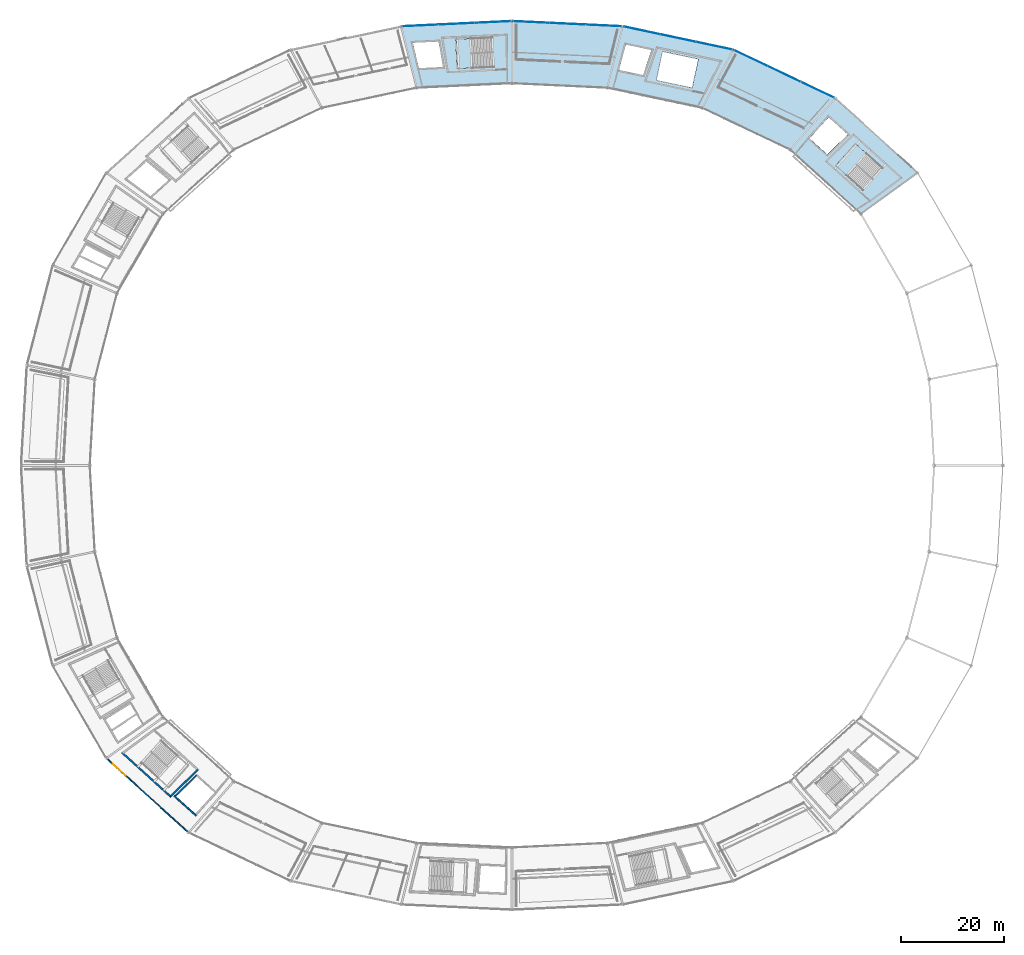
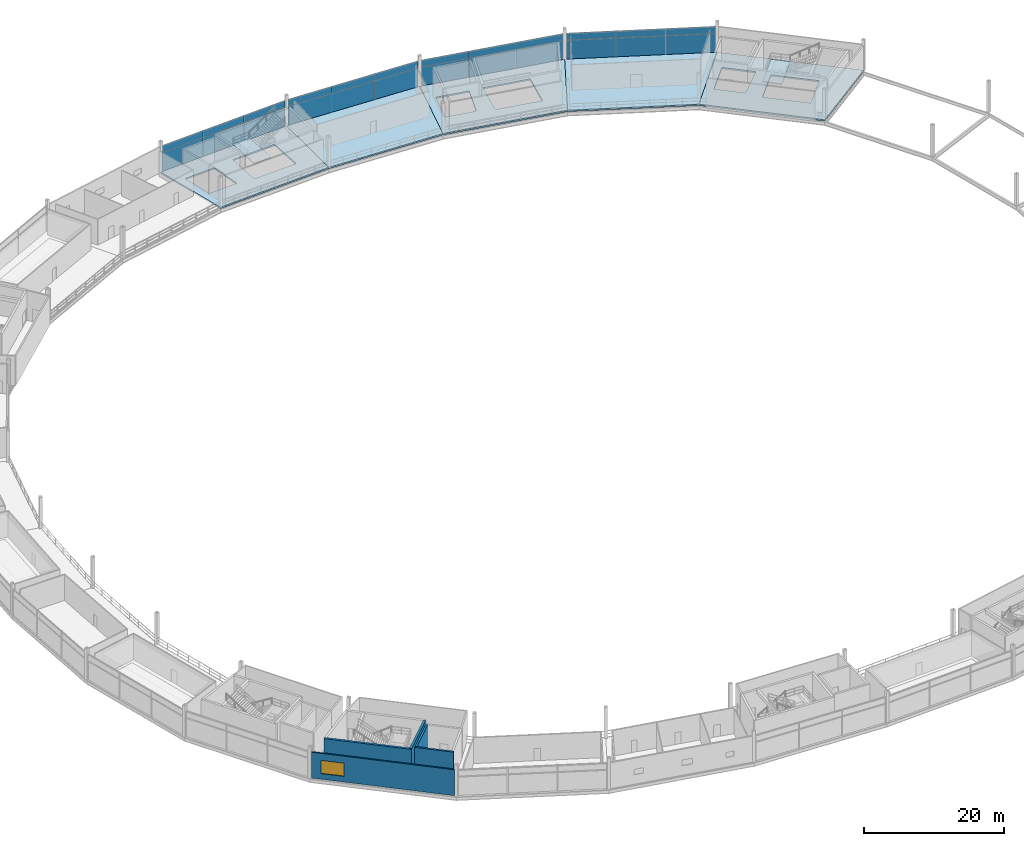
# One storey, part 70 of 103: 24 plates, 7 slabs, 5 walls, 1 window, 1 opening, 6 elements without a shape of their own.
"""IFC4 building model written with IfcOpenShell, lengths in metres."""

from ifc_helpers import new_model, si_unit, direction, frame, frame_2d, origin, origin_2d, place, context, subcontext, project, spatial, polyline, rectangle, outline, extrude, material, layer, layer_set, type_object, element, fill, aggregate, save


model = new_model("IFC4")

# Units and contexts
model_context = context("Model", 3, precision=1e-05, world=origin(), true_north=direction((0.0, 1.0)))
body_context = subcontext(model_context, "Body", "Model", "MODEL_VIEW")
ifc_project = project(units=[si_unit("LENGTHUNIT", "METRE"), si_unit("AREAUNIT", "SQUARE_METRE"), si_unit("VOLUMEUNIT", "CUBIC_METRE"), si_unit("PLANEANGLEUNIT", "RADIAN"), si_unit("MASSUNIT", "GRAM", prefix="KILO")], contexts=[model_context])

# Site, building, storey
site_placement = place(None, origin())
site = spatial("IfcSite", under=ifc_project, at=site_placement, CompositionType="ELEMENT")
building_placement = place(site_placement, origin())
building = spatial("IfcBuilding", under=site, at=building_placement, Name="Kazemori Nagisa Stadium", CompositionType="ELEMENT")
storey_placement = place(building_placement, frame((0.0, 0.0, 25.840087890625)))
storey = spatial("IfcBuildingStorey", under=building, at=storey_placement, Name="L05", CompositionType="ELEMENT", Elevation=25.840087890625)

# Curtain wall, plates
ifc_material_1 = material(Name="Anodised aluminium 6063-T5", Category="aluminium")
ifc_layer_1 = layer(ifc_material_1, 0.239990234375, Name="Anodised aluminium 6063-T5", Category="aluminium")
ifc_layer_set_1 = layer_set([ifc_layer_1], Name="Anodised aluminium 6063-T5")
curtain_wall_type_1 = type_object("IfcCurtainWallType", Name="CW_L05R3_105", PredefinedType="USERDEFINED", material=ifc_layer_set_1)
curtain_wall_1_placement = place(storey_placement, origin())
curtain_wall_1 = element("IfcCurtainWall", 1, at=curtain_wall_1_placement, inside=storey, type_object=curtain_wall_type_1, Name="Unitised curtain wall CW-L05R3-105 L05", ObjectType="UNITISED CURTAIN WALL", PredefinedType="USERDEFINED")
ifc_material_2 = material(Name="Anodised aluminium spandrel sheet", Category="aluminium")
ifc_layer_2 = layer(ifc_material_2, 0.052001953125, Name="Anodised aluminium spandrel sheet", Category="aluminium")
ifc_layer_set_2 = layer_set([ifc_layer_2], Name="Anodised aluminium spandrel sheet")
plate_type_1 = type_object("IfcPlateType", Name="CWPanel_SPN_L05R3_105", PredefinedType="CURTAIN_PANEL", material=ifc_layer_set_2)
plate_1_placement = place(storey_placement, frame((140.6865234375, 187.163818359375, 3.306884765625), z_axis=(0.0, 0.0, 1.0), x_axis=(-0.998884022476, 0.047230388971, 0.0)))
plate_1 = element("IfcPlate", 2, at=plate_1_placement, type_object=plate_type_1, Name="Curtain wall spandrel panel CW-L05R3-105-S1", PredefinedType="CURTAIN_PANEL", context=body_context, shape_type="SweptSolid", body=[
    extrude(rectangle(XDim=6.956787109375, YDim=0.052001953125, at=origin_2d()), origin(), (0.0, 0.0, 1.0), 1.22314453125),
])
plate_2_placement = place(storey_placement, frame((133.7138671875, 187.493408203125, 3.306884765625), z_axis=(0.0, 0.0, 1.0), x_axis=(-0.998884022476, 0.047230388971, 0.0)))
plate_2 = element("IfcPlate", 3, at=plate_2_placement, type_object=plate_type_1, Name="Curtain wall spandrel panel CW-L05R3-105-S2", PredefinedType="CURTAIN_PANEL", context=body_context, shape_type="SweptSolid", body=[
    extrude(rectangle(XDim=6.956787109375, YDim=0.052001953125, at=origin_2d()), origin(), (0.0, 0.0, 1.0), 1.22314453125),
])
plate_3_placement = place(storey_placement, frame((126.7412109375, 187.822998046875, 3.306884765625), z_axis=(0.0, 0.0, 1.0), x_axis=(-0.998884022476, 0.047230388971, 0.0)))
plate_3 = element("IfcPlate", 4, at=plate_3_placement, type_object=plate_type_1, Name="Curtain wall spandrel panel CW-L05R3-105-S3", PredefinedType="CURTAIN_PANEL", context=body_context, shape_type="SweptSolid", body=[
    extrude(rectangle(XDim=6.956787109375, YDim=0.052001953125, at=origin_2d()), origin(), (0.0, 0.0, 1.0), 1.22314453125),
])

curtain_wall_2_placement = place(storey_placement, origin())
curtain_wall_2 = element("IfcCurtainWall", 5, at=curtain_wall_2_placement, inside=storey, type_object=curtain_wall_type_1, Name="Unitised curtain wall CW-L05R3-105 L05", ObjectType="UNITISED CURTAIN WALL", PredefinedType="USERDEFINED")
plate_4_placement = place(storey_placement, frame((119.2587890625, 187.822998046875, 3.306884765625), z_axis=(0.0, 0.0, 1.0), x_axis=(-0.998884022476, -0.047230388971, 0.0)))
plate_4 = element("IfcPlate", 6, at=plate_4_placement, type_object=plate_type_1, Name="Curtain wall spandrel panel CW-L05R3-105-S1", PredefinedType="CURTAIN_PANEL", context=body_context, shape_type="SweptSolid", body=[
    extrude(rectangle(XDim=6.956787109375, YDim=0.052001953125, at=origin_2d()), origin(), (0.0, 0.0, 1.0), 1.22314453125),
])
plate_5_placement = place(storey_placement, frame((112.2861328125, 187.493408203125, 3.306884765625), z_axis=(0.0, 0.0, 1.0), x_axis=(-0.998884022476, -0.047230388971, 0.0)))
plate_5 = element("IfcPlate", 7, at=plate_5_placement, type_object=plate_type_1, Name="Curtain wall spandrel panel CW-L05R3-105-S2", PredefinedType="CURTAIN_PANEL", context=body_context, shape_type="SweptSolid", body=[
    extrude(rectangle(XDim=6.956787109375, YDim=0.052001953125, at=origin_2d()), origin(), (0.0, 0.0, 1.0), 1.22314453125),
])
plate_6_placement = place(storey_placement, frame((105.3134765625, 187.163818359375, 3.306884765625), z_axis=(0.0, 0.0, 1.0), x_axis=(-0.998884022476, -0.047230388971, 0.0)))
plate_6 = element("IfcPlate", 8, at=plate_6_placement, type_object=plate_type_1, Name="Curtain wall spandrel panel CW-L05R3-105-S3", PredefinedType="CURTAIN_PANEL", context=body_context, shape_type="SweptSolid", body=[
    extrude(rectangle(XDim=6.956787109375, YDim=0.052001953125, at=origin_2d()), origin(), (0.0, 0.0, 1.0), 1.22314453125),
])

ifc_layer_3 = layer(ifc_material_1, 0.239990234375, Name="Anodised aluminium 6063-T5", Category="aluminium")
ifc_layer_set_3 = layer_set([ifc_layer_3], Name="Anodised aluminium 6063-T5")
curtain_wall_type_2 = type_object("IfcCurtainWallType", Name="CW_L05R3_107", PredefinedType="USERDEFINED", material=ifc_layer_set_3)
curtain_wall_3_placement = place(storey_placement, origin())
curtain_wall_3 = element("IfcCurtainWall", 9, at=curtain_wall_3_placement, inside=storey, type_object=curtain_wall_type_2, Name="Unitised curtain wall CW-L05R3-107 L05", ObjectType="UNITISED CURTAIN WALL", PredefinedType="USERDEFINED")
ifc_layer_4 = layer(ifc_material_2, 0.052001953125, Name="Anodised aluminium spandrel sheet", Category="aluminium")
ifc_layer_set_4 = layer_set([ifc_layer_4], Name="Anodised aluminium spandrel sheet")
plate_type_2 = type_object("IfcPlateType", Name="CWPanel_SPN_L05R3_107", PredefinedType="CURTAIN_PANEL", material=ifc_layer_set_4)
plate_7_placement = place(storey_placement, frame((182.1455078125, 174.699462890625, 3.306884765625), z_axis=(0.0, 0.0, 1.0), x_axis=(-0.903215892654, 0.429186499388, 0.0)))
plate_7 = element("IfcPlate", 10, at=plate_7_placement, type_object=plate_type_2, Name="Curtain wall spandrel panel CW-L05R3-107-S1", PredefinedType="CURTAIN_PANEL", context=body_context, shape_type="SweptSolid", body=[
    extrude(rectangle(XDim=7.110595703125, YDim=0.052001953125, at=origin_2d()), origin(), (0.0, 0.0, 1.0), 1.22314453125),
])
plate_8_placement = place(storey_placement, frame((175.701416015625, 177.76171875, 3.306884765625), z_axis=(0.0, 0.0, 1.0), x_axis=(-0.903215892654, 0.429186499388, 0.0)))
plate_8 = element("IfcPlate", 11, at=plate_8_placement, type_object=plate_type_2, Name="Curtain wall spandrel panel CW-L05R3-107-S2", PredefinedType="CURTAIN_PANEL", context=body_context, shape_type="SweptSolid", body=[
    extrude(rectangle(XDim=7.110595703125, YDim=0.052001953125, at=origin_2d()), origin(), (0.0, 0.0, 1.0), 1.22314453125),
])
plate_9_placement = place(storey_placement, frame((169.257080078125, 180.82373046875, 3.306884765625), z_axis=(0.0, 0.0, 1.0), x_axis=(-0.903215892654, 0.429186499388, 0.0)))
plate_9 = element("IfcPlate", 12, at=plate_9_placement, type_object=plate_type_2, Name="Curtain wall spandrel panel CW-L05R3-107-S3", PredefinedType="CURTAIN_PANEL", context=body_context, shape_type="SweptSolid", body=[
    extrude(rectangle(XDim=7.110595703125, YDim=0.052001953125, at=origin_2d()), origin(), (0.0, 0.0, 1.0), 1.22314453125),
])

curtain_wall_4_placement = place(storey_placement, origin())
curtain_wall_4 = element("IfcCurtainWall", 13, at=curtain_wall_4_placement, inside=storey, type_object=curtain_wall_type_2, Name="Unitised curtain wall CW-L05R3-107 L05", ObjectType="UNITISED CURTAIN WALL", PredefinedType="USERDEFINED")
plate_10_placement = place(storey_placement, frame((162.07568359375, 183.253173828125, 3.306884765625), z_axis=(0.0, 0.0, 1.0), x_axis=(-0.978344955407, 0.206981033502, 0.0)))
plate_10 = element("IfcPlate", 14, at=plate_10_placement, type_object=plate_type_2, Name="Curtain wall spandrel panel CW-L05R3-107-S1", PredefinedType="CURTAIN_PANEL", context=body_context, shape_type="SweptSolid", body=[
    extrude(rectangle(XDim=7.08935546875, YDim=0.052001953125, at=origin_2d()), origin(), (0.0, 0.0, 1.0), 1.22314453125),
])
plate_11_placement = place(storey_placement, frame((155.1162109375, 184.7255859375, 3.306884765625), z_axis=(0.0, 0.0, 1.0), x_axis=(-0.978344955407, 0.206981033502, 0.0)))
plate_11 = element("IfcPlate", 15, at=plate_11_placement, type_object=plate_type_2, Name="Curtain wall spandrel panel CW-L05R3-107-S2", PredefinedType="CURTAIN_PANEL", context=body_context, shape_type="SweptSolid", body=[
    extrude(rectangle(XDim=7.08935546875, YDim=0.052001953125, at=origin_2d()), origin(), (0.0, 0.0, 1.0), 1.22314453125),
])
plate_12_placement = place(storey_placement, frame((148.15673828125, 186.197998046875, 3.306884765625), z_axis=(0.0, 0.0, 1.0), x_axis=(-0.978344955407, 0.206981033502, 0.0)))
plate_12 = element("IfcPlate", 16, at=plate_12_placement, type_object=plate_type_2, Name="Curtain wall spandrel panel CW-L05R3-107-S3", PredefinedType="CURTAIN_PANEL", context=body_context, shape_type="SweptSolid", body=[
    extrude(rectangle(XDim=7.08935546875, YDim=0.052001953125, at=origin_2d()), origin(), (0.0, 0.0, 1.0), 1.22314453125),
])

# Plate
ifc_material_3 = material(Name="Low-e laminated double glazing", Category="glass")
ifc_layer_5 = layer(ifc_material_3, 0.034912109375, Name="Low-e laminated double glazing", Category="glass")
ifc_layer_set_5 = layer_set([ifc_layer_5], Name="Low-e laminated double glazing")
plate_type_3 = type_object("IfcPlateType", Name="CWPanel_VIS_L05R3_105", PredefinedType="CURTAIN_PANEL", material=ifc_layer_set_5)
plate_13_placement = place(storey_placement, frame((140.6865234375, 187.163818359375, 0.0), z_axis=(0.0, 0.0, 1.0), x_axis=(-0.998884022476, 0.047230388971, 0.0)))
plate_13 = element("IfcPlate", 17, at=plate_13_placement, type_object=plate_type_3, Name="Curtain wall vision panel CW-L05R3-105-V1", PredefinedType="CURTAIN_PANEL", context=body_context, shape_type="SweptSolid", body=[
    extrude(rectangle(XDim=6.956787109375, YDim=0.034912109375, at=origin_2d()), origin(), (0.0, 0.0, 1.0), 3.306884765625),
])

plate_14_placement = place(storey_placement, frame((133.7138671875, 187.493408203125, 0.0), z_axis=(0.0, 0.0, 1.0), x_axis=(-0.998884022476, 0.047230388971, 0.0)))
plate_14 = element("IfcPlate", 18, at=plate_14_placement, type_object=plate_type_3, Name="Curtain wall vision panel CW-L05R3-105-V2", PredefinedType="CURTAIN_PANEL", context=body_context, shape_type="SweptSolid", body=[
    extrude(rectangle(XDim=6.956787109375, YDim=0.034912109375, at=origin_2d()), origin(), (0.0, 0.0, 1.0), 3.306884765625),
])

plate_15_placement = place(storey_placement, frame((126.7412109375, 187.822998046875, 0.0), z_axis=(0.0, 0.0, 1.0), x_axis=(-0.998884022476, 0.047230388971, 0.0)))
plate_15 = element("IfcPlate", 19, at=plate_15_placement, type_object=plate_type_3, Name="Curtain wall vision panel CW-L05R3-105-V3", PredefinedType="CURTAIN_PANEL", context=body_context, shape_type="SweptSolid", body=[
    extrude(rectangle(XDim=6.956787109375, YDim=0.034912109375, at=origin_2d()), origin(), (0.0, 0.0, 1.0), 3.306884765625),
])

aggregate(curtain_wall_1, [plate_13, plate_1, plate_14, plate_2, plate_15, plate_3])

plate_16_placement = place(storey_placement, frame((119.2587890625, 187.822998046875, 0.0), z_axis=(0.0, 0.0, 1.0), x_axis=(-0.998884022476, -0.047230388971, 0.0)))
plate_16 = element("IfcPlate", 20, at=plate_16_placement, type_object=plate_type_3, Name="Curtain wall vision panel CW-L05R3-105-V1", PredefinedType="CURTAIN_PANEL", context=body_context, shape_type="SweptSolid", body=[
    extrude(rectangle(XDim=6.956787109375, YDim=0.034912109375, at=origin_2d()), origin(), (0.0, 0.0, 1.0), 3.306884765625),
])

plate_17_placement = place(storey_placement, frame((112.2861328125, 187.493408203125, 0.0), z_axis=(0.0, 0.0, 1.0), x_axis=(-0.998884022476, -0.047230388971, 0.0)))
plate_17 = element("IfcPlate", 21, at=plate_17_placement, type_object=plate_type_3, Name="Curtain wall vision panel CW-L05R3-105-V2", PredefinedType="CURTAIN_PANEL", context=body_context, shape_type="SweptSolid", body=[
    extrude(rectangle(XDim=6.956787109375, YDim=0.034912109375, at=origin_2d()), origin(), (0.0, 0.0, 1.0), 3.306884765625),
])

plate_18_placement = place(storey_placement, frame((105.3134765625, 187.163818359375, 0.0), z_axis=(0.0, 0.0, 1.0), x_axis=(-0.998884022476, -0.047230388971, 0.0)))
plate_18 = element("IfcPlate", 22, at=plate_18_placement, type_object=plate_type_3, Name="Curtain wall vision panel CW-L05R3-105-V3", PredefinedType="CURTAIN_PANEL", context=body_context, shape_type="SweptSolid", body=[
    extrude(rectangle(XDim=6.956787109375, YDim=0.034912109375, at=origin_2d()), origin(), (0.0, 0.0, 1.0), 3.306884765625),
])

aggregate(curtain_wall_2, [plate_16, plate_4, plate_17, plate_5, plate_18, plate_6])

ifc_layer_6 = layer(ifc_material_3, 0.034912109375, Name="Low-e laminated double glazing", Category="glass")
ifc_layer_set_6 = layer_set([ifc_layer_6], Name="Low-e laminated double glazing")
plate_type_4 = type_object("IfcPlateType", Name="CWPanel_VIS_L05R3_107", PredefinedType="CURTAIN_PANEL", material=ifc_layer_set_6)
plate_19_placement = place(storey_placement, frame((182.1455078125, 174.699462890625, 0.0), z_axis=(0.0, 0.0, 1.0), x_axis=(-0.903215892654, 0.429186499388, 0.0)))
plate_19 = element("IfcPlate", 23, at=plate_19_placement, type_object=plate_type_4, Name="Curtain wall vision panel CW-L05R3-107-V1", PredefinedType="CURTAIN_PANEL", context=body_context, shape_type="SweptSolid", body=[
    extrude(rectangle(XDim=7.110595703125, YDim=0.034912109375, at=origin_2d()), origin(), (0.0, 0.0, 1.0), 3.306884765625),
])

plate_20_placement = place(storey_placement, frame((175.701416015625, 177.76171875, 0.0), z_axis=(0.0, 0.0, 1.0), x_axis=(-0.903215892654, 0.429186499388, 0.0)))
plate_20 = element("IfcPlate", 24, at=plate_20_placement, type_object=plate_type_4, Name="Curtain wall vision panel CW-L05R3-107-V2", PredefinedType="CURTAIN_PANEL", context=body_context, shape_type="SweptSolid", body=[
    extrude(rectangle(XDim=7.110595703125, YDim=0.034912109375, at=origin_2d()), origin(), (0.0, 0.0, 1.0), 3.306884765625),
])

plate_21_placement = place(storey_placement, frame((169.257080078125, 180.82373046875, 0.0), z_axis=(0.0, 0.0, 1.0), x_axis=(-0.903215892654, 0.429186499388, 0.0)))
plate_21 = element("IfcPlate", 25, at=plate_21_placement, type_object=plate_type_4, Name="Curtain wall vision panel CW-L05R3-107-V3", PredefinedType="CURTAIN_PANEL", context=body_context, shape_type="SweptSolid", body=[
    extrude(rectangle(XDim=7.110595703125, YDim=0.034912109375, at=origin_2d()), origin(), (0.0, 0.0, 1.0), 3.306884765625),
])

aggregate(curtain_wall_3, [plate_19, plate_7, plate_20, plate_8, plate_21, plate_9])

plate_22_placement = place(storey_placement, frame((162.07568359375, 183.253173828125, 0.0), z_axis=(0.0, 0.0, 1.0), x_axis=(-0.978344955407, 0.206981033502, 0.0)))
plate_22 = element("IfcPlate", 26, at=plate_22_placement, type_object=plate_type_4, Name="Curtain wall vision panel CW-L05R3-107-V1", PredefinedType="CURTAIN_PANEL", context=body_context, shape_type="SweptSolid", body=[
    extrude(rectangle(XDim=7.08935546875, YDim=0.034912109375, at=origin_2d()), origin(), (0.0, 0.0, 1.0), 3.306884765625),
])

plate_23_placement = place(storey_placement, frame((155.1162109375, 184.7255859375, 0.0), z_axis=(0.0, 0.0, 1.0), x_axis=(-0.978344955407, 0.206981033502, 0.0)))
plate_23 = element("IfcPlate", 27, at=plate_23_placement, type_object=plate_type_4, Name="Curtain wall vision panel CW-L05R3-107-V2", PredefinedType="CURTAIN_PANEL", context=body_context, shape_type="SweptSolid", body=[
    extrude(rectangle(XDim=7.08935546875, YDim=0.034912109375, at=origin_2d()), origin(), (0.0, 0.0, 1.0), 3.306884765625),
])

plate_24_placement = place(storey_placement, frame((148.15673828125, 186.197998046875, 0.0), z_axis=(0.0, 0.0, 1.0), x_axis=(-0.978344955407, 0.206981033502, 0.0)))
plate_24 = element("IfcPlate", 28, at=plate_24_placement, type_object=plate_type_4, Name="Curtain wall vision panel CW-L05R3-107-V3", PredefinedType="CURTAIN_PANEL", context=body_context, shape_type="SweptSolid", body=[
    extrude(rectangle(XDim=7.08935546875, YDim=0.034912109375, at=origin_2d()), origin(), (0.0, 0.0, 1.0), 3.306884765625),
])

aggregate(curtain_wall_4, [plate_22, plate_10, plate_23, plate_11, plate_24, plate_12])

# Stair, slab
ifc_material_4 = material(Name="Concrete C36/45 (Fc36)", Category="concrete")
stair_type = type_object("IfcStairType", Name="Stair_CORE_32", PredefinedType="TWO_STRAIGHT_RUN_STAIR", material=ifc_material_4)
stair_1_placement = place(storey_placement, origin())
stair_1 = element("IfcStair", 29, at=stair_1_placement, inside=storey, type_object=stair_type, Name="Exit stair ST01 L05", PredefinedType="TWO_STRAIGHT_RUN_STAIR")
ifc_layer_7 = layer(ifc_material_4, 0.199951171875, Name="Concrete C36/45 (Fc36)", Category="concrete")
ifc_layer_set_7 = layer_set([ifc_layer_7], Name="Concrete C36/45 (Fc36)")
slab_type_1 = type_object("IfcSlabType", Name="Slab_SL-LND-200", PredefinedType="LANDING", material=ifc_layer_set_7)
slab_1_placement = place(storey_placement, frame((0.0, 0.0, 2.52001953125)))
slab_1 = element("IfcSlab", 30, at=slab_1_placement, type_object=slab_type_1, Name="Exit stair ST01 L05 mid-landing", PredefinedType="LANDING", context=body_context, shape_type="SweptSolid", body=[
    extrude(outline(polyline([(187.729248046875, 158.18310546875), (185.616455078125, 160.095947265625), (189.44189453125, 164.321533203125), (191.5546875, 162.408935546875), (187.729248046875, 158.18310546875)])), origin(), (0.0, 0.0, 1.0), 0.199951171875),
])
aggregate(stair_1, [slab_1])

stair_2_placement = place(storey_placement, origin())
stair_2 = element("IfcStair", 31, at=stair_2_placement, inside=storey, type_object=stair_type, Name="Exit stair ST05 L05", PredefinedType="TWO_STRAIGHT_RUN_STAIR")
slab_2_placement = place(storey_placement, frame((0.0, 0.0, 2.52001953125)))
slab_2 = element("IfcSlab", 32, at=slab_2_placement, type_object=slab_type_1, Name="Exit stair ST05 L05 mid-landing", PredefinedType="LANDING", context=body_context, shape_type="SweptSolid", body=[
    extrude(outline(polyline([(115.212158203125, 178.93798828125), (112.365234375, 178.803466796875), (112.09619140625, 184.4970703125), (114.94287109375, 184.631591796875), (115.212158203125, 178.93798828125)])), origin(), (0.0, 0.0, 1.0), 0.199951171875),
])
aggregate(stair_2, [slab_2])

# Slabs
ifc_layer_8 = layer(ifc_material_4, 0.260009765625, Name="Concrete C36/45 (Fc36)", Category="concrete")
ifc_layer_set_8 = layer_set([ifc_layer_8], Name="Concrete C36/45 (Fc36)")
slab_type_2 = type_object("IfcSlabType", Name="Slab_SL-SKY-260", PredefinedType="FLOOR", material=ifc_layer_set_8)
slab_3_placement = place(storey_placement, frame((0.0, 0.0, -0.260009765625)))
element("IfcSlab", 33, at=slab_3_placement, inside=storey, type_object=slab_type_2, Name="Concourse floor slab L05 bay 04", PredefinedType="FLOOR", context=body_context, shape_type="SweptSolid", body=[
    extrude(outline(polyline([(190.506103515625, 150.734130859375), (176.834228515625, 163.11083984375), (185.597900390625, 173.05908203125), (201.495361328125, 158.667724609375), (190.506103515625, 150.734130859375)]), holes=[polyline([(190.87646484375, 155.334228515625), (185.616455078125, 160.095947265625), (189.44189453125, 164.321533203125), (194.70166015625, 159.56005859375), (190.87646484375, 155.334228515625)]), polyline([(184.043701171875, 162.204345703125), (180.594482421875, 165.32666015625), (184.289794921875, 169.3896484375), (187.960205078125, 166.06689453125), (184.043701171875, 162.204345703125)])]), origin(), (0.0, 0.0, 1.0), 0.260009765625),
])
slab_4_placement = place(storey_placement, frame((0.0, 0.0, -0.260009765625)))
element("IfcSlab", 34, at=slab_4_placement, inside=storey, type_object=slab_type_2, Name="Concourse floor slab L05 bay 05", PredefinedType="FLOOR", context=body_context, shape_type="SweptSolid", body=[
    extrude(outline(polyline([(176.834228515625, 163.11083984375), (159.81201171875, 171.19921875), (165.8046875, 182.46435546875), (185.597900390625, 173.05908203125), (176.834228515625, 163.11083984375)])), origin(), (0.0, 0.0, 1.0), 0.260009765625),
])
slab_5_placement = place(storey_placement, frame((0.0, 0.0, -0.260009765625)))
element("IfcSlab", 35, at=slab_5_placement, inside=storey, type_object=slab_type_2, Name="Concourse floor slab L05 bay 06", PredefinedType="FLOOR", context=body_context, shape_type="SweptSolid", body=[
    extrude(outline(polyline([(159.81201171875, 171.19921875), (141.427734375, 175.088623046875), (144.427734375, 186.98681640625), (165.8046875, 182.46435546875), (159.81201171875, 171.19921875)]), holes=[polyline([(157.87890625, 175.08642578125), (150.9375, 176.554931640625), (152.1171875, 182.131591796875), (159.05859375, 180.6630859375), (157.87890625, 175.08642578125)]), polyline([(148.361328125, 177.560791015625), (143.723388671875, 178.5419921875), (145.052978515625, 183.452880859375), (149.988525390625, 182.40869140625), (148.361328125, 177.560791015625)])]), origin(), (0.0, 0.0, 1.0), 0.260009765625),
])
slab_6_placement = place(storey_placement, frame((0.0, 0.0, -0.260009765625)))
element("IfcSlab", 36, at=slab_6_placement, inside=storey, type_object=slab_type_2, Name="Concourse floor slab L05 bay 07", PredefinedType="FLOOR", context=body_context, shape_type="SweptSolid", body=[
    extrude(outline(polyline([(141.427734375, 175.088623046875), (123.0, 175.9599609375), (123.0, 188.0), (144.427734375, 186.98681640625), (141.427734375, 175.088623046875)])), origin(), (0.0, 0.0, 1.0), 0.260009765625),
])
slab_7_placement = place(storey_placement, frame((0.0, 0.0, -0.260009765625)))
element("IfcSlab", 37, at=slab_7_placement, inside=storey, type_object=slab_type_2, Name="Concourse floor slab L05 bay 08", PredefinedType="FLOOR", context=body_context, shape_type="SweptSolid", body=[
    extrude(outline(polyline([(123.0, 175.9599609375), (104.572265625, 175.088623046875), (101.572265625, 186.98681640625), (123.0, 188.0), (123.0, 175.9599609375)]), holes=[polyline([(119.452392578125, 179.138427734375), (112.365234375, 178.803466796875), (112.09619140625, 184.4970703125), (119.18310546875, 184.832275390625), (119.452392578125, 179.138427734375)]), polyline([(109.63427734375, 179.112060546875), (104.9853515625, 178.89208984375), (103.82958984375, 183.825439453125), (108.77685546875, 184.0595703125), (109.63427734375, 179.112060546875)])]), origin(), (0.0, 0.0, 1.0), 0.260009765625),
])

# Walls
ifc_material_5 = material(Name="Concrete C40/50 (Fc42)", Category="concrete")
ifc_layer_9 = layer(ifc_material_5, 0.35009765625, Name="Concrete C40/50 (Fc42)", Category="concrete")
ifc_layer_set_9 = layer_set([ifc_layer_9], Name="Concrete C40/50 (Fc42)")
wall_type_1 = type_object("IfcWallType", Name="Wall_W-CORE-350", PredefinedType="SHEAR", material=ifc_layer_set_9)
wall_1_placement = place(storey_placement, frame((47.500732421875, 46.451904296875, 0.0), z_axis=(0.0, 0.0, 1.0), x_axis=(0.741351373721, -0.671117084183, 0.0)))
element("IfcWall", 38, at=wall_1_placement, inside=storey, type_object=wall_type_1, Name="Core stair rear shear wall ST03 L05", PredefinedType="SHEAR", context=body_context, shape_type="SweptSolid", body=[
    extrude(rectangle(XDim=12.830322265625, YDim=0.35009765625, at=frame_2d((6.4150390625, 0.0))), origin(), (0.0, 0.0, 1.0), 5.179931640625),
])
wall_2_placement = place(storey_placement, frame((62.199462890625, 43.1083984375, 0.0), z_axis=(0.0, 0.0, 1.0), x_axis=(-0.718297398554, -0.69573619083, 0.0)))
element("IfcWall", 39, at=wall_2_placement, inside=storey, type_object=wall_type_1, Name="Core stair right shear wall ST03 L05", PredefinedType="SHEAR", context=body_context, shape_type="SweptSolid", body=[
    extrude(rectangle(XDim=7.40185546875, YDim=0.35009765625, at=frame_2d((3.700927734375, 0.0))), origin(), (0.0, 0.0, 1.0), 5.179931640625),
])

# Wall, opening, window
ifc_material_6 = material(Name="Steel S355 (SN490B)", Category="steel")
ifc_layer_10 = layer(ifc_material_6, 0.239990234375, Name="Steel S355 (SN490B)", Category="steel")
ifc_layer_set_10 = layer_set([ifc_layer_10], Name="Steel S355 (SN490B)")
wall_type_2 = type_object("IfcWallType", Name="Wall_W-EXT-240", PredefinedType="SOLIDWALL", material=ifc_layer_set_10)
wall_3_placement = place(storey_placement, frame((44.667724609375, 45.184814453125, 0.0), z_axis=(0.0, 0.0, 1.0), x_axis=(0.741349049196, -0.671119651967, 0.0)))
wall_3 = element("IfcWall", 40, at=wall_3_placement, inside=storey, type_object=wall_type_2, Name="Exterior facade wall L05-18", PredefinedType="SOLIDWALL", context=body_context, shape_type="SweptSolid", body=[
    extrude(rectangle(XDim=21.00390625, YDim=0.239990234375, at=frame_2d((10.501953125, 0.0))), origin(), (0.0, 0.0, 1.0), 4.530029296875),
])
opening_placement = place(wall_3_placement, frame((1.39990234375, 0.0, 1.0)))
opening = element("IfcOpeningElement", 41, at=opening_placement, cuts=wall_3, Name="Opening WIN-L05-3400", PredefinedType="OPENING", context=body_context, shape_type="SweptSolid", body=[
    extrude(rectangle(XDim=3.39990234375, YDim=2.300048828125, at=frame_2d((1.699951171875, 1.14990234375))), frame((0.0, 0.1298828125, 0.0), z_axis=(0.0, -1.0, 0.0), x_axis=(1.0, 0.0, 0.0)), (0.0, 0.0, 1.0), 0.260009765625),
])
window_type = type_object("IfcWindowType", Name="Window_WIN-L05-3400", PartitioningType="SINGLE_PANEL", PredefinedType="WINDOW", material=ifc_material_3)
window_placement = place(opening_placement, origin())
window = element("IfcWindow", 42, at=window_placement, inside=storey, type_object=window_type, Name="Core lobby window L05-18", OverallHeight=2.300048828125, OverallWidth=3.39990234375, PartitioningType="SINGLE_PANEL", PredefinedType="WINDOW", context=body_context, shape_type="SweptSolid", body=[
    extrude(rectangle(XDim=3.39990234375, YDim=2.300048828125, at=frame_2d((1.699951171875, 1.14990234375))), frame((0.0, 0.030029296875, 0.0), z_axis=(0.0, -1.0, 0.0), x_axis=(1.0, 0.0, 0.0)), (0.0, 0.0, 1.0), 0.06005859375),
])
fill(opening, window)

# Walls
ifc_layer_11 = layer(ifc_material_5, 0.300048828125, Name="Concrete C40/50 (Fc42)", Category="concrete")
ifc_layer_set_11 = layer_set([ifc_layer_11], Name="Concrete C40/50 (Fc42)")
wall_type_3 = type_object("IfcWallType", Name="Wall_W-SHAFT-300", PredefinedType="SHEAR", material=ifc_layer_set_11)
wall_4_placement = place(storey_placement, frame((57.640380859375, 38.039306640625, 0.0), z_axis=(0.0, 0.0, 1.0), x_axis=(0.74134208775, -0.671127341815, 0.0)))
element("IfcWall", 43, at=wall_4_placement, inside=storey, type_object=wall_type_3, Name="Lift shaft B wall FL3 L05", PredefinedType="SHEAR", context=body_context, shape_type="SweptSolid", body=[
    extrude(rectangle(XDim=5.674560546875, YDim=0.300048828125, at=frame_2d((2.83740234375, 0.0))), origin(), (0.0, 0.0, 1.0), 5.179931640625),
])
wall_5_placement = place(storey_placement, frame((61.947998046875, 42.058837890625, 0.0), z_axis=(0.0, 0.0, 1.0), x_axis=(-0.713553028001, -0.700601224828, 0.0)))
element("IfcWall", 44, at=wall_5_placement, inside=storey, type_object=wall_type_3, Name="Lift shaft L wall FL3 L05", PredefinedType="SHEAR", context=body_context, shape_type="SweptSolid", body=[
    extrude(rectangle(XDim=5.881103515625, YDim=0.300048828125, at=frame_2d((2.9404296875, 0.0))), origin(), (0.0, 0.0, 1.0), 5.179931640625),
])

save(model, "model.ifc")
